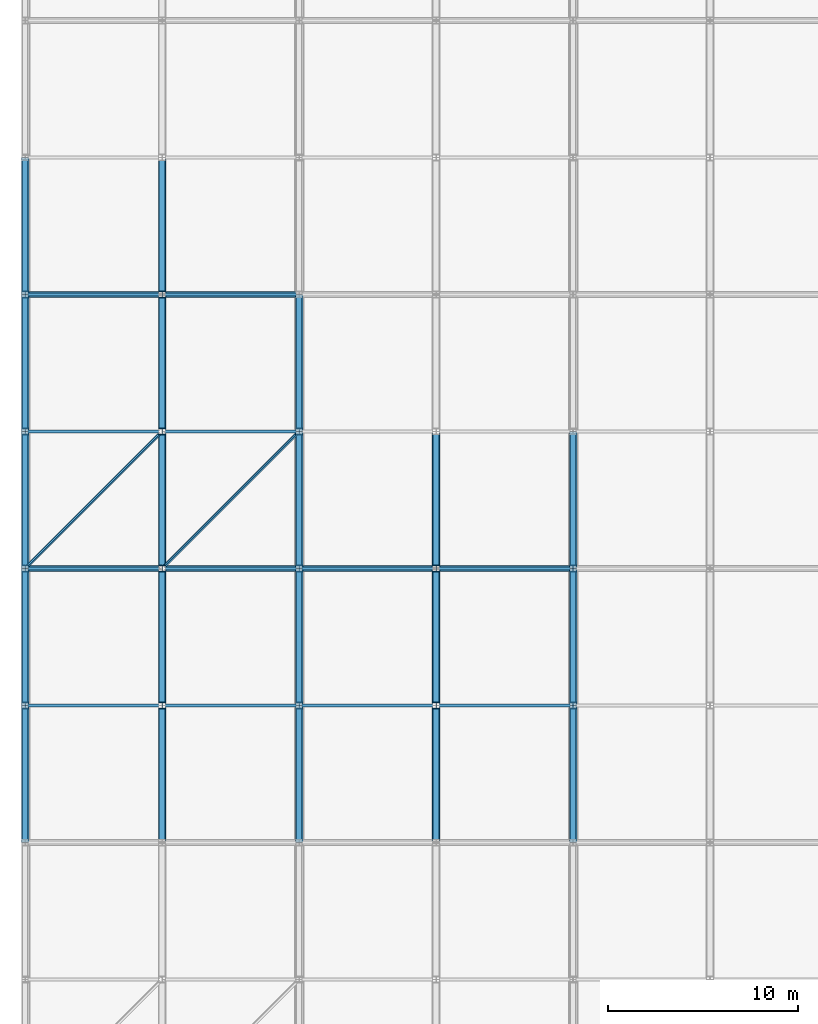
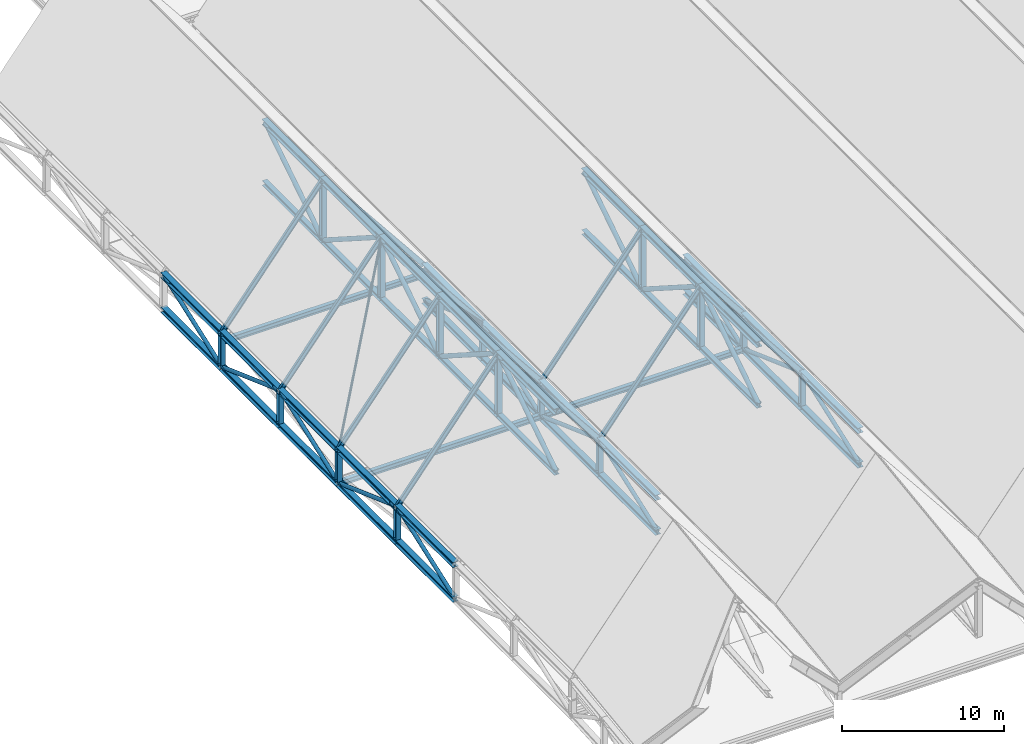
# One storey, part 7 of 60: 89 members, 3 beams.
"""IFC4 building model written with IfcOpenShell, lengths in metres."""

from ifc_helpers import new_model, si_unit, direction, frame, origin, origin_2d, place, context, subcontext, project, spatial, hollow_circle, i_section, extrude, material, material_profile, profile_set, type_object, element, save


model = new_model("IFC4")

# Units and contexts
model_context = context("Model", 3, precision=1e-05, world=origin(), true_north=direction((0.0, 1.0)))
body_context = subcontext(model_context, "Body", "Model", "MODEL_VIEW")
ifc_project = project(units=[si_unit("LENGTHUNIT", "METRE"), si_unit("AREAUNIT", "SQUARE_METRE"), si_unit("VOLUMEUNIT", "CUBIC_METRE"), si_unit("PLANEANGLEUNIT", "RADIAN"), si_unit("MASSUNIT", "GRAM", prefix="KILO")], contexts=[model_context])

# Site, building, storey
site_placement = place(None, origin())
site = spatial("IfcSite", under=ifc_project, at=site_placement, CompositionType="ELEMENT")
building_placement = place(site_placement, origin())
building = spatial("IfcBuilding", under=site, at=building_placement, Name="Vesperath Aquatics Centre", CompositionType="ELEMENT")
storey_placement = place(building_placement, frame((0.0, 0.0, 27.60009765625)))
storey = spatial("IfcBuildingStorey", under=building, at=storey_placement, Name="RF", CompositionType="ELEMENT", Elevation=27.60009765625)

# Beams
ifc_material_1 = material(Name="Steel Q355C", Category="steel")
ifc_material_profile_1 = material_profile(ifc_material_1, i_section(OverallWidth=0.300048828125, OverallDepth=0.389892578125, WebThickness=0.010009765625, FlangeThickness=0.01611328125, FilletRadius=0.02197265625, at=origin_2d()), Name="HM 390x300x10x16")
ifc_profile_set_1 = profile_set([ifc_material_profile_1], Name="Steel Q355C")
beam_type_1 = type_object("IfcBeamType", Name="BM-RB02", PredefinedType="BEAM", material=ifc_profile_set_1)
beam_1_placement = place(storey_placement, frame((0.0, 43.199951171875, -12.400146484375), z_axis=(1.0, 0.0, 0.0), x_axis=(0.0, 1.0, 0.0)))
element("IfcBeam", 1, at=beam_1_placement, inside=storey, type_object=beam_type_1, Name="Natatorium Roof Deck Support Beam B11 G1-43.2", PredefinedType="BEAM", context=body_context, shape_type="SweptSolid", body=[
    extrude(i_section(OverallWidth=0.300048828125, OverallDepth=0.389892578125, WebThickness=0.010009765625, FlangeThickness=0.01611328125, FilletRadius=0.02197265625, at=origin_2d()), origin(), (0.0, 0.0, 1.0), 14.39990234375),
])
beam_2_placement = place(storey_placement, frame((14.39990234375, 43.199951171875, -12.400146484375), z_axis=(1.0, 0.0, 0.0), x_axis=(0.0, 1.0, 0.0)))
element("IfcBeam", 2, at=beam_2_placement, inside=storey, type_object=beam_type_1, Name="Natatorium Roof Deck Support Beam B11 G2-43.2", PredefinedType="BEAM", context=body_context, shape_type="SweptSolid", body=[
    extrude(i_section(OverallWidth=0.300048828125, OverallDepth=0.389892578125, WebThickness=0.010009765625, FlangeThickness=0.01611328125, FilletRadius=0.02197265625, at=origin_2d()), origin(), (0.0, 0.0, 1.0), 14.400146484375),
])
ifc_material_profile_2 = material_profile(ifc_material_1, i_section(OverallWidth=0.300048828125, OverallDepth=0.389892578125, WebThickness=0.010009765625, FlangeThickness=0.01611328125, FilletRadius=0.02197265625, at=origin_2d()), Name="HM 390x300x10x16")
ifc_profile_set_2 = profile_set([ifc_material_profile_2], Name="Steel Q355C")
beam_type_2 = type_object("IfcBeamType", Name="BM-RB03", PredefinedType="BEAM", material=ifc_profile_set_2)
beam_3_placement = place(storey_placement, frame((0.0, 57.60009765625, -10.478759765625), z_axis=(1.0, 0.0, 0.0), x_axis=(0.0, 1.0, 0.0)))
element("IfcBeam", 3, at=beam_3_placement, inside=storey, type_object=beam_type_2, Name="Natatorium Roof Deck Support Beam B11 G1-57.6", PredefinedType="BEAM", context=body_context, shape_type="SweptSolid", body=[
    extrude(i_section(OverallWidth=0.300048828125, OverallDepth=0.389892578125, WebThickness=0.010009765625, FlangeThickness=0.01611328125, FilletRadius=0.02197265625, at=origin_2d()), origin(), (0.0, 0.0, 1.0), 14.39990234375),
])

# Members
ifc_material_2 = material(Name="Steel Q355D", Category="steel")
ifc_material_profile_3 = material_profile(ifc_material_2, i_section(OverallWidth=0.39990234375, OverallDepth=0.39990234375, WebThickness=0.012939453125, FlangeThickness=0.02099609375, FilletRadius=0.02197265625, at=origin_2d()), Name="HW 400x400x13x21")
ifc_profile_set_3 = profile_set([ifc_material_profile_3], Name="Steel Q355D")
member_type_1 = type_object("IfcMemberType", Name="MB-BC01", PredefinedType="CHORD", material=ifc_profile_set_3)
for number, where, z_axis, x_axis, name in (
    (4, (0.0, 28.800048828125, -12.400146484375), (0.0, 1.0, 0.0), (-1.0, 0.0, 0.0), "Natatorium ROOF TRUSS Bottom Chord BC01 G1-5"),
    (5, (0.0, 36.0, -12.400146484375), (0.0, 1.0, 0.0), (-1.0, 0.0, 0.0), "Natatorium ROOF TRUSS Bottom Chord BC01 G1-6"),
    (6, (0.0, 43.199951171875, -12.400146484375), (0.0, 1.0, 0.0), (-1.0, 0.0, 0.0), "Natatorium ROOF TRUSS Bottom Chord BC01 G1-7"),
):
    element("IfcMember", number, at=place(storey_placement, frame(where, z_axis=z_axis, x_axis=x_axis)), inside=storey, type_object=member_type_1, Name=name, PredefinedType="CHORD", context=body_context, shape_type="SweptSolid", body=[
        extrude(i_section(OverallWidth=0.39990234375, OverallDepth=0.39990234375, WebThickness=0.012939453125, FlangeThickness=0.02099609375, FilletRadius=0.02197265625, at=origin_2d()), origin(), (0.0, 0.0, 1.0), 7.199951171875),
    ])
member_1_placement = place(storey_placement, frame((0.0, 50.39990234375, -12.400146484375), z_axis=(0.0, 1.0, 0.0), x_axis=(-1.0, 0.0, 0.0)))
element("IfcMember", 7, at=member_1_placement, inside=storey, type_object=member_type_1, Name="Natatorium ROOF TRUSS Bottom Chord BC01 G1-8", PredefinedType="CHORD", context=body_context, shape_type="SweptSolid", body=[
    extrude(i_section(OverallWidth=0.39990234375, OverallDepth=0.39990234375, WebThickness=0.012939453125, FlangeThickness=0.02099609375, FilletRadius=0.02197265625, at=origin_2d()), origin(), (0.0, 0.0, 1.0), 7.2001953125),
])
for number, where, z_axis, x_axis, name in (
    (8, (0.0, 57.60009765625, -12.400146484375), (0.0, 1.0, 0.0), (-1.0, 0.0, 0.0), "Natatorium ROOF TRUSS Bottom Chord BC01 G1-9"),
    (9, (14.39990234375, 28.800048828125, -12.400146484375), (0.0, 1.0, 0.0), (-1.0, 0.0, 0.0), "Natatorium ROOF TRUSS Bottom Chord BC01 G3-5"),
    (10, (14.39990234375, 36.0, -12.400146484375), (0.0, 1.0, 0.0), (-1.0, 0.0, 0.0), "Natatorium ROOF TRUSS Bottom Chord BC01 G3-6"),
    (11, (14.39990234375, 43.199951171875, -12.400146484375), (0.0, 1.0, 0.0), (-1.0, 0.0, 0.0), "Natatorium ROOF TRUSS Bottom Chord BC01 G3-7"),
):
    element("IfcMember", number, at=place(storey_placement, frame(where, z_axis=z_axis, x_axis=x_axis)), inside=storey, type_object=member_type_1, Name=name, PredefinedType="CHORD", context=body_context, shape_type="SweptSolid", body=[
        extrude(i_section(OverallWidth=0.39990234375, OverallDepth=0.39990234375, WebThickness=0.012939453125, FlangeThickness=0.02099609375, FilletRadius=0.02197265625, at=origin_2d()), origin(), (0.0, 0.0, 1.0), 7.199951171875),
    ])
member_2_placement = place(storey_placement, frame((14.39990234375, 50.39990234375, -12.400146484375), z_axis=(0.0, 1.0, 0.0), x_axis=(-1.0, 0.0, 0.0)))
element("IfcMember", 12, at=member_2_placement, inside=storey, type_object=member_type_1, Name="Natatorium ROOF TRUSS Bottom Chord BC01 G3-8", PredefinedType="CHORD", context=body_context, shape_type="SweptSolid", body=[
    extrude(i_section(OverallWidth=0.39990234375, OverallDepth=0.39990234375, WebThickness=0.012939453125, FlangeThickness=0.02099609375, FilletRadius=0.02197265625, at=origin_2d()), origin(), (0.0, 0.0, 1.0), 7.2001953125),
])
for number, where, z_axis, x_axis, name in (
    (13, (28.800048828125, 28.800048828125, -12.400146484375), (0.0, 1.0, 0.0), (-1.0, 0.0, 0.0), "Natatorium ROOF TRUSS Bottom Chord BC01 G5-5"),
    (14, (28.800048828125, 36.0, -12.400146484375), (0.0, 1.0, 0.0), (-1.0, 0.0, 0.0), "Natatorium ROOF TRUSS Bottom Chord BC01 G5-6"),
    (15, (28.800048828125, 43.199951171875, -12.400146484375), (0.0, 1.0, 0.0), (-1.0, 0.0, 0.0), "Natatorium ROOF TRUSS Bottom Chord BC01 G5-7"),
):
    element("IfcMember", number, at=place(storey_placement, frame(where, z_axis=z_axis, x_axis=x_axis)), inside=storey, type_object=member_type_1, Name=name, PredefinedType="CHORD", context=body_context, shape_type="SweptSolid", body=[
        extrude(i_section(OverallWidth=0.39990234375, OverallDepth=0.39990234375, WebThickness=0.012939453125, FlangeThickness=0.02099609375, FilletRadius=0.02197265625, at=origin_2d()), origin(), (0.0, 0.0, 1.0), 7.199951171875),
    ])
ifc_material_profile_4 = material_profile(ifc_material_2, i_section(OverallWidth=0.35009765625, OverallDepth=0.35009765625, WebThickness=0.011962890625, FlangeThickness=0.01904296875, FilletRadius=0.02001953125, at=origin_2d()), Name="HW 350x350x12x19")
ifc_profile_set_4 = profile_set([ifc_material_profile_4], Name="Steel Q355D")
member_type_2 = type_object("IfcMemberType", Name="MB-BC02", PredefinedType="CHORD", material=ifc_profile_set_4)
for number, where, z_axis, x_axis, name in (
    (16, (7.199951171875, 28.800048828125, -5.400146484375), (0.0, 1.0, 0.0), (-1.0, 0.0, 0.0), "Natatorium ROOF TRUSS Bottom Chord BC02 G2-5"),
    (17, (7.199951171875, 36.0, -5.400146484375), (0.0, 1.0, 0.0), (-1.0, 0.0, 0.0), "Natatorium ROOF TRUSS Bottom Chord BC02 G2-6"),
    (18, (7.199951171875, 43.199951171875, -5.400146484375), (0.0, 1.0, 0.0), (-1.0, 0.0, 0.0), "Natatorium ROOF TRUSS Bottom Chord BC02 G2-7"),
):
    element("IfcMember", number, at=place(storey_placement, frame(where, z_axis=z_axis, x_axis=x_axis)), inside=storey, type_object=member_type_2, Name=name, PredefinedType="CHORD", context=body_context, shape_type="SweptSolid", body=[
        extrude(i_section(OverallWidth=0.35009765625, OverallDepth=0.35009765625, WebThickness=0.011962890625, FlangeThickness=0.01904296875, FilletRadius=0.02001953125, at=origin_2d()), origin(), (0.0, 0.0, 1.0), 7.199951171875),
    ])
member_3_placement = place(storey_placement, frame((7.199951171875, 50.39990234375, -5.400146484375), z_axis=(0.0, 1.0, 0.0), x_axis=(-1.0, 0.0, 0.0)))
element("IfcMember", 19, at=member_3_placement, inside=storey, type_object=member_type_2, Name="Natatorium ROOF TRUSS Bottom Chord BC02 G2-8", PredefinedType="CHORD", context=body_context, shape_type="SweptSolid", body=[
    extrude(i_section(OverallWidth=0.35009765625, OverallDepth=0.35009765625, WebThickness=0.011962890625, FlangeThickness=0.01904296875, FilletRadius=0.02001953125, at=origin_2d()), origin(), (0.0, 0.0, 1.0), 7.2001953125),
])
for number, where, z_axis, x_axis, name in (
    (20, (7.199951171875, 57.60009765625, -5.400146484375), (0.0, 1.0, 0.0), (-1.0, 0.0, 0.0), "Natatorium ROOF TRUSS Bottom Chord BC02 G2-9"),
    (21, (21.60009765625, 28.800048828125, -5.400146484375), (0.0, 1.0, 0.0), (-1.0, 0.0, 0.0), "Natatorium ROOF TRUSS Bottom Chord BC02 G4-5"),
    (22, (21.60009765625, 36.0, -5.400146484375), (0.0, 1.0, 0.0), (-1.0, 0.0, 0.0), "Natatorium ROOF TRUSS Bottom Chord BC02 G4-6"),
    (23, (21.60009765625, 43.199951171875, -5.400146484375), (0.0, 1.0, 0.0), (-1.0, 0.0, 0.0), "Natatorium ROOF TRUSS Bottom Chord BC02 G4-7"),
):
    element("IfcMember", number, at=place(storey_placement, frame(where, z_axis=z_axis, x_axis=x_axis)), inside=storey, type_object=member_type_2, Name=name, PredefinedType="CHORD", context=body_context, shape_type="SweptSolid", body=[
        extrude(i_section(OverallWidth=0.35009765625, OverallDepth=0.35009765625, WebThickness=0.011962890625, FlangeThickness=0.01904296875, FilletRadius=0.02001953125, at=origin_2d()), origin(), (0.0, 0.0, 1.0), 7.199951171875),
    ])
ifc_material_profile_5 = material_profile(ifc_material_2, hollow_circle(Radius=0.084228515625, WallThickness=0.008056640625, at=origin_2d()), Name="CHS 168.3x8")
ifc_profile_set_5 = profile_set([ifc_material_profile_5], Name="Steel Q355D")
member_type_3 = type_object("IfcMemberType", Name="MB-BR01", PredefinedType="BRACE", material=ifc_profile_set_5)
for number, where, z_axis, x_axis, name in (
    (24, (0.04248046875, 43.242431640625, -9.7470703125), (0.529812942826, 0.529812942826, 0.662266178533), (-0.707106781187, 0.707106781187, 0.0), "Natatorium Roof Brace BR01 B1-43"),
    (25, (7.242431640625, 43.242431640625, -0.85302734375), (0.529812942826, 0.529812942826, -0.662266178533), (-0.707106781187, 0.707106781187, 0.0), "Natatorium Roof Brace BR01 B2-43"),
):
    element("IfcMember", number, at=place(storey_placement, frame(where, z_axis=z_axis, x_axis=x_axis)), inside=storey, type_object=member_type_3, Name=name, PredefinedType="BRACE", context=body_context, shape_type="SweptSolid", body=[
        extrude(hollow_circle(Radius=0.084228515625, WallThickness=0.008056640625, at=origin_2d()), origin(), (0.0, 0.0, 1.0), 13.4296875),
    ])
ifc_material_profile_6 = material_profile(ifc_material_1, i_section(OverallWidth=0.175048828125, OverallDepth=0.35009765625, WebThickness=0.007080078125, FlangeThickness=0.010986328125, FilletRadius=0.012939453125, at=origin_2d()), Name="HN 350x175x7x11")
ifc_profile_set_6 = profile_set([ifc_material_profile_6], Name="Steel Q355C")
member_type_4 = type_object("IfcMemberType", Name="MB-PR01", PredefinedType="PURLIN", material=ifc_profile_set_6)
for number, where, z_axis, x_axis, name in (
    (26, (0.0, 36.0, -9.800048828125), (0.624692464322, 0.0, 0.780870876022), (0.0, 1.0, 0.0), "Natatorium Roof Purlin PR01 B1-4"),
    (27, (0.0, 43.199951171875, -9.800048828125), (0.624692464322, 0.0, 0.780870876022), (0.0, 1.0, 0.0), "Natatorium Roof Purlin PR01 B1-5"),
    (28, (0.0, 50.39990234375, -9.800048828125), (0.624692464322, 0.0, 0.780870876022), (0.0, 1.0, 0.0), "Natatorium Roof Purlin PR01 B1-6"),
    (29, (0.0, 57.60009765625, -9.800048828125), (0.624692464322, 0.0, 0.780870876022), (0.0, 1.0, 0.0), "Natatorium Roof Purlin PR01 B1-7"),
    (30, (7.199951171875, 36.0, -0.800048828125), (0.624692464322, 0.0, -0.780870876022), (0.0, 1.0, 0.0), "Natatorium Roof Purlin PR01 B2-4"),
    (31, (7.199951171875, 43.199951171875, -0.800048828125), (0.624692464322, 0.0, -0.780870876022), (0.0, 1.0, 0.0), "Natatorium Roof Purlin PR01 B2-5"),
    (32, (7.199951171875, 50.39990234375, -0.800048828125), (0.624692464322, 0.0, -0.780870876022), (0.0, 1.0, 0.0), "Natatorium Roof Purlin PR01 B2-6"),
    (33, (7.199951171875, 57.60009765625, -0.800048828125), (0.624692464322, 0.0, -0.780870876022), (0.0, 1.0, 0.0), "Natatorium Roof Purlin PR01 B2-7"),
    (34, (14.39990234375, 36.0, -9.800048828125), (0.624705380279, 0.0, 0.780860543151), (0.0, 1.0, 0.0), "Natatorium Roof Purlin PR01 B3-4"),
    (35, (14.39990234375, 43.199951171875, -9.800048828125), (0.624705380279, 0.0, 0.780860543151), (0.0, 1.0, 0.0), "Natatorium Roof Purlin PR01 B3-5"),
    (36, (21.60009765625, 36.0, -0.800048828125), (0.624692464322, 0.0, -0.780870876022), (0.0, 1.0, 0.0), "Natatorium Roof Purlin PR01 B4-4"),
    (37, (21.60009765625, 43.199951171875, -0.800048828125), (0.624692464322, 0.0, -0.780870876022), (0.0, 1.0, 0.0), "Natatorium Roof Purlin PR01 B4-5"),
):
    element("IfcMember", number, at=place(storey_placement, frame(where, z_axis=z_axis, x_axis=x_axis)), inside=storey, type_object=member_type_4, Name=name, PredefinedType="PURLIN", context=body_context, shape_type="SweptSolid", body=[
        extrude(i_section(OverallWidth=0.175048828125, OverallDepth=0.35009765625, WebThickness=0.007080078125, FlangeThickness=0.010986328125, FilletRadius=0.012939453125, at=origin_2d()), origin(), (0.0, 0.0, 1.0), 11.525634765625),
    ])
ifc_material_profile_7 = material_profile(ifc_material_2, i_section(OverallWidth=0.406982421875, OverallDepth=0.427978515625, WebThickness=0.02001953125, FlangeThickness=0.034912109375, FilletRadius=0.02197265625, at=origin_2d()), Name="HW 428x407x20x35")
ifc_profile_set_7 = profile_set([ifc_material_profile_7], Name="Steel Q355D")
member_type_5 = type_object("IfcMemberType", Name="MB-TC01", PredefinedType="CHORD", material=ifc_profile_set_7)
for number, where, z_axis, x_axis, name in (
    (38, (7.199951171875, 28.800048828125, -0.800048828125), (0.0, 1.0, 0.0), (-1.0, 0.0, 0.0), "Natatorium ROOF TRUSS Top Chord TC01 G2-5"),
    (39, (7.199951171875, 36.0, -0.800048828125), (0.0, 1.0, 0.0), (-1.0, 0.0, 0.0), "Natatorium ROOF TRUSS Top Chord TC01 G2-6"),
    (40, (7.199951171875, 43.199951171875, -0.800048828125), (0.0, 1.0, 0.0), (-1.0, 0.0, 0.0), "Natatorium ROOF TRUSS Top Chord TC01 G2-7"),
):
    element("IfcMember", number, at=place(storey_placement, frame(where, z_axis=z_axis, x_axis=x_axis)), inside=storey, type_object=member_type_5, Name=name, PredefinedType="CHORD", context=body_context, shape_type="SweptSolid", body=[
        extrude(i_section(OverallWidth=0.406982421875, OverallDepth=0.427978515625, WebThickness=0.02001953125, FlangeThickness=0.034912109375, FilletRadius=0.02197265625, at=origin_2d()), origin(), (0.0, 0.0, 1.0), 7.199951171875),
    ])
member_4_placement = place(storey_placement, frame((7.199951171875, 50.39990234375, -0.800048828125), z_axis=(0.0, 1.0, 0.0), x_axis=(-1.0, 0.0, 0.0)))
element("IfcMember", 41, at=member_4_placement, inside=storey, type_object=member_type_5, Name="Natatorium ROOF TRUSS Top Chord TC01 G2-8", PredefinedType="CHORD", context=body_context, shape_type="SweptSolid", body=[
    extrude(i_section(OverallWidth=0.406982421875, OverallDepth=0.427978515625, WebThickness=0.02001953125, FlangeThickness=0.034912109375, FilletRadius=0.02197265625, at=origin_2d()), origin(), (0.0, 0.0, 1.0), 7.2001953125),
])
for number, where, z_axis, x_axis, name in (
    (42, (7.199951171875, 57.60009765625, -0.800048828125), (0.0, 1.0, 0.0), (-1.0, 0.0, 0.0), "Natatorium ROOF TRUSS Top Chord TC01 G2-9"),
    (43, (21.60009765625, 28.800048828125, -0.800048828125), (0.0, 1.0, 0.0), (-1.0, 0.0, 0.0), "Natatorium ROOF TRUSS Top Chord TC01 G4-5"),
    (44, (21.60009765625, 36.0, -0.800048828125), (0.0, 1.0, 0.0), (-1.0, 0.0, 0.0), "Natatorium ROOF TRUSS Top Chord TC01 G4-6"),
    (45, (21.60009765625, 43.199951171875, -0.800048828125), (0.0, 1.0, 0.0), (-1.0, 0.0, 0.0), "Natatorium ROOF TRUSS Top Chord TC01 G4-7"),
):
    element("IfcMember", number, at=place(storey_placement, frame(where, z_axis=z_axis, x_axis=x_axis)), inside=storey, type_object=member_type_5, Name=name, PredefinedType="CHORD", context=body_context, shape_type="SweptSolid", body=[
        extrude(i_section(OverallWidth=0.406982421875, OverallDepth=0.427978515625, WebThickness=0.02001953125, FlangeThickness=0.034912109375, FilletRadius=0.02197265625, at=origin_2d()), origin(), (0.0, 0.0, 1.0), 7.199951171875),
    ])
ifc_material_profile_8 = material_profile(ifc_material_2, i_section(OverallWidth=0.39990234375, OverallDepth=0.39990234375, WebThickness=0.012939453125, FlangeThickness=0.02099609375, FilletRadius=0.02197265625, at=origin_2d()), Name="HW 400x400x13x21")
ifc_profile_set_8 = profile_set([ifc_material_profile_8], Name="Steel Q355D")
member_type_6 = type_object("IfcMemberType", Name="MB-TC02", PredefinedType="CHORD", material=ifc_profile_set_8)
for number, where, z_axis, x_axis, name in (
    (46, (0.0, 28.800048828125, -9.800048828125), (0.0, 1.0, 0.0), (-1.0, 0.0, 0.0), "Natatorium ROOF TRUSS Top Chord TC02 G1-5"),
    (47, (0.0, 36.0, -9.800048828125), (0.0, 1.0, 0.0), (-1.0, 0.0, 0.0), "Natatorium ROOF TRUSS Top Chord TC02 G1-6"),
    (48, (0.0, 43.199951171875, -9.800048828125), (0.0, 1.0, 0.0), (-1.0, 0.0, 0.0), "Natatorium ROOF TRUSS Top Chord TC02 G1-7"),
):
    element("IfcMember", number, at=place(storey_placement, frame(where, z_axis=z_axis, x_axis=x_axis)), inside=storey, type_object=member_type_6, Name=name, PredefinedType="CHORD", context=body_context, shape_type="SweptSolid", body=[
        extrude(i_section(OverallWidth=0.39990234375, OverallDepth=0.39990234375, WebThickness=0.012939453125, FlangeThickness=0.02099609375, FilletRadius=0.02197265625, at=origin_2d()), origin(), (0.0, 0.0, 1.0), 7.199951171875),
    ])
member_5_placement = place(storey_placement, frame((0.0, 50.39990234375, -9.800048828125), z_axis=(0.0, 1.0, 0.0), x_axis=(-1.0, 0.0, 0.0)))
element("IfcMember", 49, at=member_5_placement, inside=storey, type_object=member_type_6, Name="Natatorium ROOF TRUSS Top Chord TC02 G1-8", PredefinedType="CHORD", context=body_context, shape_type="SweptSolid", body=[
    extrude(i_section(OverallWidth=0.39990234375, OverallDepth=0.39990234375, WebThickness=0.012939453125, FlangeThickness=0.02099609375, FilletRadius=0.02197265625, at=origin_2d()), origin(), (0.0, 0.0, 1.0), 7.2001953125),
])
for number, where, z_axis, x_axis, name in (
    (50, (0.0, 57.60009765625, -9.800048828125), (0.0, 1.0, 0.0), (-1.0, 0.0, 0.0), "Natatorium ROOF TRUSS Top Chord TC02 G1-9"),
    (51, (14.39990234375, 28.800048828125, -9.800048828125), (0.0, 1.0, 0.0), (-1.0, 0.0, 0.0), "Natatorium ROOF TRUSS Top Chord TC02 G3-5"),
    (52, (14.39990234375, 36.0, -9.800048828125), (0.0, 1.0, 0.0), (-1.0, 0.0, 0.0), "Natatorium ROOF TRUSS Top Chord TC02 G3-6"),
    (53, (14.39990234375, 43.199951171875, -9.800048828125), (0.0, 1.0, 0.0), (-1.0, 0.0, 0.0), "Natatorium ROOF TRUSS Top Chord TC02 G3-7"),
):
    element("IfcMember", number, at=place(storey_placement, frame(where, z_axis=z_axis, x_axis=x_axis)), inside=storey, type_object=member_type_6, Name=name, PredefinedType="CHORD", context=body_context, shape_type="SweptSolid", body=[
        extrude(i_section(OverallWidth=0.39990234375, OverallDepth=0.39990234375, WebThickness=0.012939453125, FlangeThickness=0.02099609375, FilletRadius=0.02197265625, at=origin_2d()), origin(), (0.0, 0.0, 1.0), 7.199951171875),
    ])
member_6_placement = place(storey_placement, frame((14.39990234375, 50.39990234375, -9.800048828125), z_axis=(0.0, 1.0, 0.0), x_axis=(-1.0, 0.0, 0.0)))
element("IfcMember", 54, at=member_6_placement, inside=storey, type_object=member_type_6, Name="Natatorium ROOF TRUSS Top Chord TC02 G3-8", PredefinedType="CHORD", context=body_context, shape_type="SweptSolid", body=[
    extrude(i_section(OverallWidth=0.39990234375, OverallDepth=0.39990234375, WebThickness=0.012939453125, FlangeThickness=0.02099609375, FilletRadius=0.02197265625, at=origin_2d()), origin(), (0.0, 0.0, 1.0), 7.2001953125),
])
for number, where, z_axis, x_axis, name in (
    (55, (28.800048828125, 28.800048828125, -9.800048828125), (0.0, 1.0, 0.0), (-1.0, 0.0, 0.0), "Natatorium ROOF TRUSS Top Chord TC02 G5-5"),
    (56, (28.800048828125, 36.0, -9.800048828125), (0.0, 1.0, 0.0), (-1.0, 0.0, 0.0), "Natatorium ROOF TRUSS Top Chord TC02 G5-6"),
    (57, (28.800048828125, 43.199951171875, -9.800048828125), (0.0, 1.0, 0.0), (-1.0, 0.0, 0.0), "Natatorium ROOF TRUSS Top Chord TC02 G5-7"),
):
    element("IfcMember", number, at=place(storey_placement, frame(where, z_axis=z_axis, x_axis=x_axis)), inside=storey, type_object=member_type_6, Name=name, PredefinedType="CHORD", context=body_context, shape_type="SweptSolid", body=[
        extrude(i_section(OverallWidth=0.39990234375, OverallDepth=0.39990234375, WebThickness=0.012939453125, FlangeThickness=0.02099609375, FilletRadius=0.02197265625, at=origin_2d()), origin(), (0.0, 0.0, 1.0), 7.199951171875),
    ])
ifc_material_profile_9 = material_profile(ifc_material_2, hollow_circle(Radius=0.161865234375, WallThickness=0.013916015625, at=origin_2d()), Name="CHS 323.9x14")
ifc_profile_set_9 = profile_set([ifc_material_profile_9], Name="Steel Q355D")
member_type_7 = type_object("IfcMemberType", Name="MB-TD01", PredefinedType="BRACE", material=ifc_profile_set_9)
for number, where, z_axis, x_axis, name in (
    (58, (7.199951171875, 28.867431640625, -5.35693359375), (0.0, 0.84270690245, 0.538372618698), (-1.0, 0.0, 0.0), "Natatorium ROOF TRUSS Diagonal TD01 G2-5"),
    (59, (7.199951171875, 36.0673828125, -0.84326171875), (0.0, 0.84270690245, -0.538372618698), (-1.0, 0.0, 0.0), "Natatorium ROOF TRUSS Diagonal TD01 G2-6"),
    (60, (7.199951171875, 43.267333984375, -5.35693359375), (0.0, 0.84270690245, 0.538372618698), (-1.0, 0.0, 0.0), "Natatorium ROOF TRUSS Diagonal TD01 G2-7"),
):
    element("IfcMember", number, at=place(storey_placement, frame(where, z_axis=z_axis, x_axis=x_axis)), inside=storey, type_object=member_type_7, Name=name, PredefinedType="BRACE", context=body_context, shape_type="SweptSolid", body=[
        extrude(hollow_circle(Radius=0.161865234375, WallThickness=0.013916015625, at=origin_2d()), origin(), (0.0, 0.0, 1.0), 8.384033203125),
    ])
member_7_placement = place(storey_placement, frame((7.199951171875, 50.467529296875, -0.84326171875), z_axis=(0.0, 0.842698461818, -0.538385830468), x_axis=(-1.0, 0.0, 0.0)))
element("IfcMember", 61, at=member_7_placement, inside=storey, type_object=member_type_7, Name="Natatorium ROOF TRUSS Diagonal TD01 G2-8", PredefinedType="BRACE", context=body_context, shape_type="SweptSolid", body=[
    extrude(hollow_circle(Radius=0.161865234375, WallThickness=0.013916015625, at=origin_2d()), origin(), (0.0, 0.0, 1.0), 8.3837890625),
])
for number, where, z_axis, x_axis, name in (
    (62, (7.199951171875, 57.66748046875, -5.35693359375), (0.0, 0.84270690245, 0.538372618698), (-1.0, 0.0, 0.0), "Natatorium ROOF TRUSS Diagonal TD01 G2-9"),
    (63, (21.60009765625, 28.867431640625, -5.35693359375), (0.0, 0.84270690245, 0.538372618698), (-1.0, 0.0, 0.0), "Natatorium ROOF TRUSS Diagonal TD01 G4-5"),
    (64, (21.60009765625, 36.0673828125, -0.84326171875), (0.0, 0.84270690245, -0.538372618698), (-1.0, 0.0, 0.0), "Natatorium ROOF TRUSS Diagonal TD01 G4-6"),
    (65, (21.60009765625, 43.267333984375, -5.35693359375), (0.0, 0.84270690245, 0.538372618698), (-1.0, 0.0, 0.0), "Natatorium ROOF TRUSS Diagonal TD01 G4-7"),
):
    element("IfcMember", number, at=place(storey_placement, frame(where, z_axis=z_axis, x_axis=x_axis)), inside=storey, type_object=member_type_7, Name=name, PredefinedType="BRACE", context=body_context, shape_type="SweptSolid", body=[
        extrude(hollow_circle(Radius=0.161865234375, WallThickness=0.013916015625, at=origin_2d()), origin(), (0.0, 0.0, 1.0), 8.384033203125),
    ])
ifc_material_profile_10 = material_profile(ifc_material_2, hollow_circle(Radius=0.136474609375, WallThickness=0.011962890625, at=origin_2d()), Name="CHS 273.0x12")
ifc_profile_set_10 = profile_set([ifc_material_profile_10], Name="Steel Q355D")
member_type_8 = type_object("IfcMemberType", Name="MB-TD02", PredefinedType="BRACE", material=ifc_profile_set_10)
for number, where, z_axis, x_axis, name in (
    (66, (0.0, 28.875244140625, -12.373046875), (0.0, 0.940544360889, 0.339670877761), (-1.0, 0.0, 0.0), "Natatorium ROOF TRUSS Diagonal TD02 G1-5"),
    (67, (0.0, 36.0751953125, -9.8271484375), (0.0, 0.940544360889, -0.339670877761), (-1.0, 0.0, 0.0), "Natatorium ROOF TRUSS Diagonal TD02 G1-6"),
    (68, (0.0, 43.275146484375, -12.373046875), (0.0, 0.940544360889, 0.339670877761), (-1.0, 0.0, 0.0), "Natatorium ROOF TRUSS Diagonal TD02 G1-7"),
):
    element("IfcMember", number, at=place(storey_placement, frame(where, z_axis=z_axis, x_axis=x_axis)), inside=storey, type_object=member_type_8, Name=name, PredefinedType="BRACE", context=body_context, shape_type="SweptSolid", body=[
        extrude(hollow_circle(Radius=0.136474609375, WallThickness=0.011962890625, at=origin_2d()), origin(), (0.0, 0.0, 1.0), 7.4951171875),
    ])
member_8_placement = place(storey_placement, frame((0.0, 50.475341796875, -9.8271484375), z_axis=(0.0, 0.940540602568, -0.339681284324), x_axis=(-1.0, 0.0, 0.0)))
element("IfcMember", 69, at=member_8_placement, inside=storey, type_object=member_type_8, Name="Natatorium ROOF TRUSS Diagonal TD02 G1-8", PredefinedType="BRACE", context=body_context, shape_type="SweptSolid", body=[
    extrude(hollow_circle(Radius=0.136474609375, WallThickness=0.011962890625, at=origin_2d()), origin(), (0.0, 0.0, 1.0), 7.494873046875),
])
for number, where, z_axis, x_axis, name in (
    (70, (0.0, 57.67529296875, -12.373046875), (0.0, 0.940544360889, 0.339670877761), (-1.0, 0.0, 0.0), "Natatorium ROOF TRUSS Diagonal TD02 G1-9"),
    (71, (14.39990234375, 28.875244140625, -12.373046875), (0.0, 0.940544360889, 0.339670877761), (-1.0, 0.0, 0.0), "Natatorium ROOF TRUSS Diagonal TD02 G3-5"),
    (72, (14.39990234375, 36.0751953125, -9.8271484375), (0.0, 0.940544360889, -0.339670877761), (-1.0, 0.0, 0.0), "Natatorium ROOF TRUSS Diagonal TD02 G3-6"),
    (73, (14.39990234375, 43.275146484375, -12.373046875), (0.0, 0.940544360889, 0.339670877761), (-1.0, 0.0, 0.0), "Natatorium ROOF TRUSS Diagonal TD02 G3-7"),
):
    element("IfcMember", number, at=place(storey_placement, frame(where, z_axis=z_axis, x_axis=x_axis)), inside=storey, type_object=member_type_8, Name=name, PredefinedType="BRACE", context=body_context, shape_type="SweptSolid", body=[
        extrude(hollow_circle(Radius=0.136474609375, WallThickness=0.011962890625, at=origin_2d()), origin(), (0.0, 0.0, 1.0), 7.4951171875),
    ])
member_9_placement = place(storey_placement, frame((14.39990234375, 50.475341796875, -9.8271484375), z_axis=(0.0, 0.940540602568, -0.339681284324), x_axis=(-1.0, 0.0, 0.0)))
element("IfcMember", 74, at=member_9_placement, inside=storey, type_object=member_type_8, Name="Natatorium ROOF TRUSS Diagonal TD02 G3-8", PredefinedType="BRACE", context=body_context, shape_type="SweptSolid", body=[
    extrude(hollow_circle(Radius=0.136474609375, WallThickness=0.011962890625, at=origin_2d()), origin(), (0.0, 0.0, 1.0), 7.494873046875),
])
for number, where, z_axis, x_axis, name in (
    (75, (28.800048828125, 28.875244140625, -12.373046875), (0.0, 0.940544360889, 0.339670877761), (-1.0, 0.0, 0.0), "Natatorium ROOF TRUSS Diagonal TD02 G5-5"),
    (76, (28.800048828125, 36.0751953125, -9.8271484375), (0.0, 0.940544360889, -0.339670877761), (-1.0, 0.0, 0.0), "Natatorium ROOF TRUSS Diagonal TD02 G5-6"),
    (77, (28.800048828125, 43.275146484375, -12.373046875), (0.0, 0.940544360889, 0.339670877761), (-1.0, 0.0, 0.0), "Natatorium ROOF TRUSS Diagonal TD02 G5-7"),
):
    element("IfcMember", number, at=place(storey_placement, frame(where, z_axis=z_axis, x_axis=x_axis)), inside=storey, type_object=member_type_8, Name=name, PredefinedType="BRACE", context=body_context, shape_type="SweptSolid", body=[
        extrude(hollow_circle(Radius=0.136474609375, WallThickness=0.011962890625, at=origin_2d()), origin(), (0.0, 0.0, 1.0), 7.4951171875),
    ])
ifc_material_profile_11 = material_profile(ifc_material_2, i_section(OverallWidth=0.35009765625, OverallDepth=0.35009765625, WebThickness=0.011962890625, FlangeThickness=0.01904296875, FilletRadius=0.02001953125, at=origin_2d()), Name="HW 350x350x12x19")
ifc_profile_set_11 = profile_set([ifc_material_profile_11], Name="Steel Q355D")
member_type_9 = type_object("IfcMemberType", Name="MB-TP01", PredefinedType="POST", material=ifc_profile_set_11)
for number, where, z_axis, x_axis, name in (
    (78, (0.0, 36.0, -12.400146484375), (0.0, 0.0, 1.0), (1.0, 0.0, 0.0), "Natatorium ROOF TRUSS Post TP01 G1-6"),
    (79, (0.0, 43.199951171875, -12.400146484375), (0.0, 0.0, 1.0), (1.0, 0.0, 0.0), "Natatorium ROOF TRUSS Post TP01 G1-7"),
    (80, (0.0, 50.39990234375, -12.400146484375), (0.0, 0.0, 1.0), (1.0, 0.0, 0.0), "Natatorium ROOF TRUSS Post TP01 G1-8"),
    (81, (0.0, 57.60009765625, -12.400146484375), (0.0, 0.0, 1.0), (1.0, 0.0, 0.0), "Natatorium ROOF TRUSS Post TP01 G1-9"),
):
    element("IfcMember", number, at=place(storey_placement, frame(where, z_axis=z_axis, x_axis=x_axis)), inside=storey, type_object=member_type_9, Name=name, PredefinedType="POST", context=body_context, shape_type="SweptSolid", body=[
        extrude(i_section(OverallWidth=0.35009765625, OverallDepth=0.35009765625, WebThickness=0.011962890625, FlangeThickness=0.01904296875, FilletRadius=0.02001953125, at=origin_2d()), origin(), (0.0, 0.0, 1.0), 2.60009765625),
    ])
for number, where, z_axis, x_axis, name in (
    (82, (7.199951171875, 36.0, -5.400146484375), (0.0, 0.0, 1.0), (1.0, 0.0, 0.0), "Natatorium ROOF TRUSS Post TP01 G2-6"),
    (83, (7.199951171875, 43.199951171875, -5.400146484375), (0.0, 0.0, 1.0), (1.0, 0.0, 0.0), "Natatorium ROOF TRUSS Post TP01 G2-7"),
    (84, (7.199951171875, 50.39990234375, -5.400146484375), (0.0, 0.0, 1.0), (1.0, 0.0, 0.0), "Natatorium ROOF TRUSS Post TP01 G2-8"),
    (85, (7.199951171875, 57.60009765625, -5.400146484375), (0.0, 0.0, 1.0), (1.0, 0.0, 0.0), "Natatorium ROOF TRUSS Post TP01 G2-9"),
):
    element("IfcMember", number, at=place(storey_placement, frame(where, z_axis=z_axis, x_axis=x_axis)), inside=storey, type_object=member_type_9, Name=name, PredefinedType="POST", context=body_context, shape_type="SweptSolid", body=[
        extrude(i_section(OverallWidth=0.35009765625, OverallDepth=0.35009765625, WebThickness=0.011962890625, FlangeThickness=0.01904296875, FilletRadius=0.02001953125, at=origin_2d()), origin(), (0.0, 0.0, 1.0), 4.60009765625),
    ])
for number, where, z_axis, x_axis, name in (
    (86, (14.39990234375, 36.0, -12.400146484375), (0.0, 0.0, 1.0), (1.0, 0.0, 0.0), "Natatorium ROOF TRUSS Post TP01 G3-6"),
    (87, (14.39990234375, 43.199951171875, -12.400146484375), (0.0, 0.0, 1.0), (1.0, 0.0, 0.0), "Natatorium ROOF TRUSS Post TP01 G3-7"),
    (88, (14.39990234375, 50.39990234375, -12.400146484375), (0.0, 0.0, 1.0), (1.0, 0.0, 0.0), "Natatorium ROOF TRUSS Post TP01 G3-8"),
):
    element("IfcMember", number, at=place(storey_placement, frame(where, z_axis=z_axis, x_axis=x_axis)), inside=storey, type_object=member_type_9, Name=name, PredefinedType="POST", context=body_context, shape_type="SweptSolid", body=[
        extrude(i_section(OverallWidth=0.35009765625, OverallDepth=0.35009765625, WebThickness=0.011962890625, FlangeThickness=0.01904296875, FilletRadius=0.02001953125, at=origin_2d()), origin(), (0.0, 0.0, 1.0), 2.60009765625),
    ])
for number, where, z_axis, x_axis, name in (
    (89, (21.60009765625, 36.0, -5.400146484375), (0.0, 0.0, 1.0), (1.0, 0.0, 0.0), "Natatorium ROOF TRUSS Post TP01 G4-6"),
    (90, (21.60009765625, 43.199951171875, -5.400146484375), (0.0, 0.0, 1.0), (1.0, 0.0, 0.0), "Natatorium ROOF TRUSS Post TP01 G4-7"),
):
    element("IfcMember", number, at=place(storey_placement, frame(where, z_axis=z_axis, x_axis=x_axis)), inside=storey, type_object=member_type_9, Name=name, PredefinedType="POST", context=body_context, shape_type="SweptSolid", body=[
        extrude(i_section(OverallWidth=0.35009765625, OverallDepth=0.35009765625, WebThickness=0.011962890625, FlangeThickness=0.01904296875, FilletRadius=0.02001953125, at=origin_2d()), origin(), (0.0, 0.0, 1.0), 4.60009765625),
    ])
for number, where, z_axis, x_axis, name in (
    (91, (28.800048828125, 36.0, -12.400146484375), (0.0, 0.0, 1.0), (1.0, 0.0, 0.0), "Natatorium ROOF TRUSS Post TP01 G5-6"),
    (92, (28.800048828125, 43.199951171875, -12.400146484375), (0.0, 0.0, 1.0), (1.0, 0.0, 0.0), "Natatorium ROOF TRUSS Post TP01 G5-7"),
):
    element("IfcMember", number, at=place(storey_placement, frame(where, z_axis=z_axis, x_axis=x_axis)), inside=storey, type_object=member_type_9, Name=name, PredefinedType="POST", context=body_context, shape_type="SweptSolid", body=[
        extrude(i_section(OverallWidth=0.35009765625, OverallDepth=0.35009765625, WebThickness=0.011962890625, FlangeThickness=0.01904296875, FilletRadius=0.02001953125, at=origin_2d()), origin(), (0.0, 0.0, 1.0), 2.60009765625),
    ])

save(model, "model.ifc")
